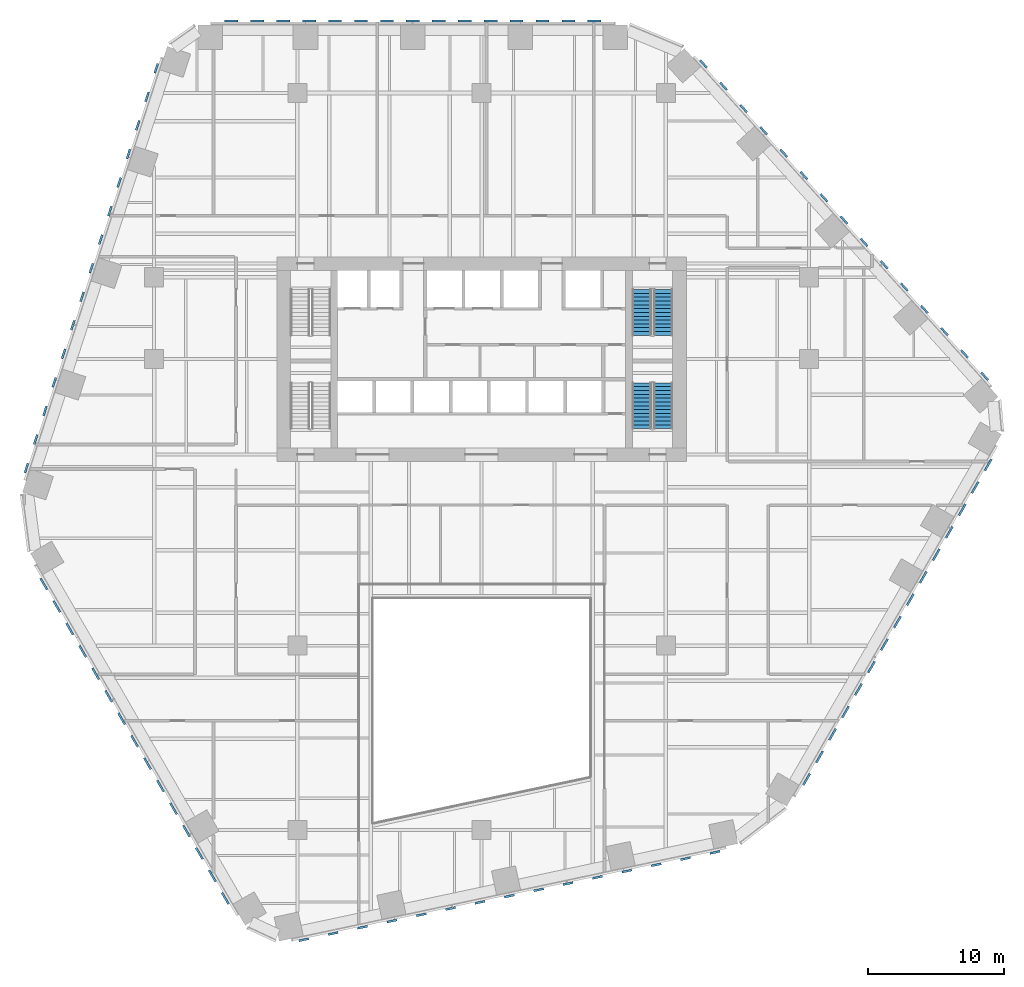
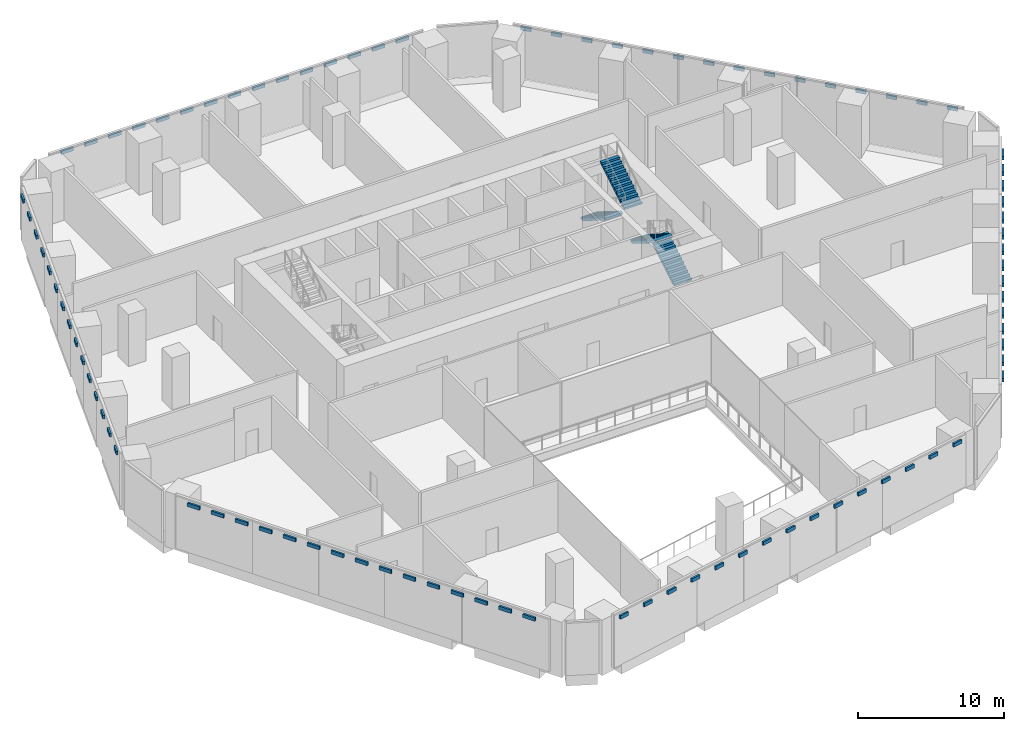
# One storey, part 17 of 19: 90 discrete accessories, 4 stair flights, 2 elements without a shape of their own.
"""IFC4 building model written with IfcOpenShell, lengths in metres."""

from ifc_helpers import new_model, si_unit, direction, frame, origin, origin_2d, place, context, subcontext, project, spatial, polyline, rectangle, outline, extrude, material, type_object, element, aggregate, save


model = new_model("IFC4")

# Units and contexts
model_context = context("Model", 3, precision=1e-05, world=origin(), true_north=direction((0.0, 1.0)))
body_context = subcontext(model_context, "Body", "Model", "MODEL_VIEW")
ifc_project = project(units=[si_unit("LENGTHUNIT", "METRE"), si_unit("AREAUNIT", "SQUARE_METRE"), si_unit("VOLUMEUNIT", "CUBIC_METRE"), si_unit("PLANEANGLEUNIT", "RADIAN"), si_unit("MASSUNIT", "GRAM", prefix="KILO")], contexts=[model_context])

# Site, building, storey
site_placement = place(None, origin())
site = spatial("IfcSite", under=ifc_project, at=site_placement, CompositionType="ELEMENT")
building_placement = place(site_placement, origin())
building = spatial("IfcBuilding", under=site, at=building_placement, Name="Isthmus Gate Tower", CompositionType="ELEMENT")
storey_placement = place(building_placement, frame((0.0, 0.0, 76.14990234375)))
storey = spatial("IfcBuildingStorey", under=building, at=storey_placement, Name="L17", CompositionType="ELEMENT", Elevation=76.14990234375)

# Stair, stair flights
ifc_material_1 = material(Name="Concrete f'c 40 MPa", Category="concrete")
stair_type = type_object("IfcStairType", Name="CORE STAIR 26 RISERS", PredefinedType="HALF_TURN_STAIR", material=ifc_material_1)
stair_1_placement = place(storey_placement, origin())
stair_1 = element("IfcStair", 1, at=stair_1_placement, inside=storey, type_object=stair_type, Name="L17 Exit Stair 2", PredefinedType="HALF_TURN_STAIR")
ifc_material_2 = material(Name="Concrete f'c 40 MPa", Category="concrete")
stair_flight_type = type_object("IfcStairFlightType", Name="STAIR FLIGHT RC 1400", PredefinedType="STRAIGHT", material=ifc_material_2)
stair_flight_1_placement = place(storey_placement, frame((11.75, 12.60009765625, 0.0), z_axis=(0.0, 0.0, 1.0), x_axis=(0.0, -1.0, 0.0)))
stair_flight_1 = element("IfcStairFlight", 2, at=stair_flight_1_placement, type_object=stair_flight_type, Name="ST2 flight 1", NumberOfRisers=13, NumberOfTreads=12, PredefinedType="STRAIGHT", RiserHeight=0.173076923, TreadLength=0.28, context=body_context, shape_type="SweptSolid", body=[
    extrude(outline(polyline([(0.0, 0.0), (0.0, 0.173095703125), (0.280029296875, 0.173095703125), (0.280029296875, 0.34619140625), (0.56005859375, 0.34619140625), (0.56005859375, 0.519287109375), (0.840087890625, 0.519287109375), (0.840087890625, 0.6923828125), (1.1201171875, 0.6923828125), (1.1201171875, 0.865478515625), (1.39990234375, 0.865478515625), (1.39990234375, 1.03857421875), (1.679931640625, 1.03857421875), (1.679931640625, 1.21142578125), (1.9599609375, 1.21142578125), (1.9599609375, 1.384521484375), (2.239990234375, 1.384521484375), (2.239990234375, 1.5576171875), (2.52001953125, 1.5576171875), (2.52001953125, 1.730712890625), (2.800048828125, 1.730712890625), (2.800048828125, 1.90380859375), (3.080078125, 1.90380859375), (3.080078125, 2.076904296875), (3.360107421875, 2.076904296875), (3.360107421875, 2.25), (3.360107421875, 1.900634765625), (0.28515625, 0.0), (0.0, 0.0)])), frame((0.0, 0.699951171875, 0.0), z_axis=(0.0, -1.0, 0.0), x_axis=(1.0, 0.0, 0.0)), (0.0, 0.0, 1.0), 1.39990234375),
])
stair_flight_2_placement = place(storey_placement, frame((13.300048828125, 9.239990234375, 2.25), z_axis=(0.0, 0.0, 1.0), x_axis=(0.0, 1.0, 0.0)))
stair_flight_2 = element("IfcStairFlight", 3, at=stair_flight_2_placement, type_object=stair_flight_type, Name="ST2 flight 2", NumberOfRisers=13, NumberOfTreads=12, PredefinedType="STRAIGHT", RiserHeight=0.173076923, TreadLength=0.28, context=body_context, shape_type="SweptSolid", body=[
    extrude(outline(polyline([(0.0, 0.0), (0.0, 0.173095703125), (0.280029296875, 0.173095703125), (0.280029296875, 0.34619140625), (0.56005859375, 0.34619140625), (0.56005859375, 0.519287109375), (0.840087890625, 0.519287109375), (0.840087890625, 0.6923828125), (1.1201171875, 0.6923828125), (1.1201171875, 0.865478515625), (1.39990234375, 0.865478515625), (1.39990234375, 1.03857421875), (1.679931640625, 1.03857421875), (1.679931640625, 1.21142578125), (1.9599609375, 1.21142578125), (1.9599609375, 1.384521484375), (2.239990234375, 1.384521484375), (2.239990234375, 1.5576171875), (2.52001953125, 1.5576171875), (2.52001953125, 1.730712890625), (2.800048828125, 1.730712890625), (2.800048828125, 1.90380859375), (3.080078125, 1.90380859375), (3.080078125, 2.076904296875), (3.360107421875, 2.076904296875), (3.360107421875, 2.25), (3.360107421875, 1.900634765625), (0.28515625, 0.0), (0.0, 0.0)])), frame((0.0, 0.699951171875, 0.0), z_axis=(0.0, -1.0, 0.0), x_axis=(1.0, 0.0, 0.0)), (0.0, 0.0, 1.0), 1.39990234375),
])
aggregate(stair_1, [stair_flight_1, stair_flight_2])

stair_2_placement = place(storey_placement, origin())
stair_2 = element("IfcStair", 4, at=stair_2_placement, inside=storey, type_object=stair_type, Name="L17 Exit Stair 8", PredefinedType="HALF_TURN_STAIR")
stair_flight_3_placement = place(storey_placement, frame((13.300048828125, 2.39990234375, 0.0), z_axis=(0.0, 0.0, 1.0), x_axis=(0.0, 1.0, 0.0)))
stair_flight_3 = element("IfcStairFlight", 5, at=stair_flight_3_placement, type_object=stair_flight_type, Name="ST8 flight 1", NumberOfRisers=13, NumberOfTreads=12, PredefinedType="STRAIGHT", RiserHeight=0.173076923, TreadLength=0.28, context=body_context, shape_type="SweptSolid", body=[
    extrude(outline(polyline([(0.0, 0.0), (0.0, 0.173095703125), (0.280029296875, 0.173095703125), (0.280029296875, 0.34619140625), (0.56005859375, 0.34619140625), (0.56005859375, 0.519287109375), (0.840087890625, 0.519287109375), (0.840087890625, 0.6923828125), (1.1201171875, 0.6923828125), (1.1201171875, 0.865478515625), (1.39990234375, 0.865478515625), (1.39990234375, 1.03857421875), (1.679931640625, 1.03857421875), (1.679931640625, 1.21142578125), (1.9599609375, 1.21142578125), (1.9599609375, 1.384521484375), (2.239990234375, 1.384521484375), (2.239990234375, 1.5576171875), (2.52001953125, 1.5576171875), (2.52001953125, 1.730712890625), (2.800048828125, 1.730712890625), (2.800048828125, 1.90380859375), (3.080078125, 1.90380859375), (3.080078125, 2.076904296875), (3.360107421875, 2.076904296875), (3.360107421875, 2.25), (3.360107421875, 1.900634765625), (0.28515625, 0.0), (0.0, 0.0)])), frame((0.0, 0.699951171875, 0.0), z_axis=(0.0, -1.0, 0.0), x_axis=(1.0, 0.0, 0.0)), (0.0, 0.0, 1.0), 1.39990234375),
])
stair_flight_4_placement = place(storey_placement, frame((11.75, 5.760009765625, 2.25), z_axis=(0.0, 0.0, 1.0), x_axis=(0.0, -1.0, 0.0)))
stair_flight_4 = element("IfcStairFlight", 6, at=stair_flight_4_placement, type_object=stair_flight_type, Name="ST8 flight 2", NumberOfRisers=13, NumberOfTreads=12, PredefinedType="STRAIGHT", RiserHeight=0.173076923, TreadLength=0.28, context=body_context, shape_type="SweptSolid", body=[
    extrude(outline(polyline([(0.0, 0.0), (0.0, 0.173095703125), (0.280029296875, 0.173095703125), (0.280029296875, 0.34619140625), (0.56005859375, 0.34619140625), (0.56005859375, 0.519287109375), (0.840087890625, 0.519287109375), (0.840087890625, 0.6923828125), (1.1201171875, 0.6923828125), (1.1201171875, 0.865478515625), (1.39990234375, 0.865478515625), (1.39990234375, 1.03857421875), (1.679931640625, 1.03857421875), (1.679931640625, 1.21142578125), (1.9599609375, 1.21142578125), (1.9599609375, 1.384521484375), (2.239990234375, 1.384521484375), (2.239990234375, 1.5576171875), (2.52001953125, 1.5576171875), (2.52001953125, 1.730712890625), (2.800048828125, 1.730712890625), (2.800048828125, 1.90380859375), (3.080078125, 1.90380859375), (3.080078125, 2.076904296875), (3.360107421875, 2.076904296875), (3.360107421875, 2.25), (3.360107421875, 1.900634765625), (0.28515625, 0.0), (0.0, 0.0)])), frame((0.0, 0.699951171875, 0.0), z_axis=(0.0, -1.0, 0.0), x_axis=(1.0, 0.0, 0.0)), (0.0, 0.0, 1.0), 1.39990234375),
])
aggregate(stair_2, [stair_flight_3, stair_flight_4])

# Discrete accessories
ifc_material_3 = material(Name="Structural steel ASTM A572 Gr 50, white paint system", Category="steel")
discrete_accessory_type_1 = type_object("IfcDiscreteAccessoryType", Name="FIN BRACKET 748 X 150 X 300", PredefinedType="BRACKET", material=ifc_material_3)
for number, where, z_axis, x_axis, name in (
    (7, (-23.84033203125, 28.808349609375, 3.9501953125), (0.0, 0.0, 1.0), (-0.951056516295, 0.309016994375, 0.0), "FIN BRACKET"),
    (8, (-24.52001953125, 26.716064453125, 3.9501953125), (0.0, 0.0, 1.0), (-0.951056516295, 0.309016994375, 0.0), "FIN BRACKET"),
    (9, (-25.199951171875, 24.62353515625, 3.9501953125), (0.0, 0.0, 1.0), (-0.951056516295, 0.309016994375, 0.0), "FIN BRACKET"),
    (10, (-25.8798828125, 22.53125, 3.9501953125), (0.0, 0.0, 1.0), (-0.951056516295, 0.309016994375, 0.0), "FIN BRACKET"),
    (11, (-26.5595703125, 20.43896484375, 3.9501953125), (0.0, 0.0, 1.0), (-0.951056516295, 0.309016994375, 0.0), "FIN BRACKET"),
    (12, (-27.239501953125, 18.3466796875, 3.9501953125), (0.0, 0.0, 1.0), (-0.951056516295, 0.309016994375, 0.0), "FIN BRACKET"),
    (13, (-27.91943359375, 16.25439453125, 3.9501953125), (0.0, 0.0, 1.0), (-0.951056516295, 0.309016994375, 0.0), "FIN BRACKET"),
    (14, (-28.59912109375, 14.162109375, 3.9501953125), (0.0, 0.0, 1.0), (-0.951056516295, 0.309016994375, 0.0), "FIN BRACKET"),
    (15, (-29.279052734375, 12.06982421875, 3.9501953125), (0.0, 0.0, 1.0), (-0.951056516295, 0.309016994375, 0.0), "FIN BRACKET"),
    (16, (-29.958740234375, 9.977294921875, 3.9501953125), (0.0, 0.0, 1.0), (-0.951056516295, 0.309016994375, 0.0), "FIN BRACKET"),
    (17, (-30.638671875, 7.885009765625, 3.9501953125), (0.0, 0.0, 1.0), (-0.951056516295, 0.309016994375, 0.0), "FIN BRACKET"),
    (18, (-31.318603515625, 5.792724609375, 3.9501953125), (0.0, 0.0, 1.0), (-0.951056516295, 0.309016994375, 0.0), "FIN BRACKET"),
    (19, (-31.998291015625, 3.700439453125, 3.9501953125), (0.0, 0.0, 1.0), (-0.951056516295, 0.309016994375, 0.0), "FIN BRACKET"),
    (20, (-32.67822265625, 1.608154296875, 3.9501953125), (0.0, 0.0, 1.0), (-0.951056516295, 0.309016994375, 0.0), "FIN BRACKET"),
    (21, (-33.35791015625, -0.484130859375, 3.9501953125), (0.0, 0.0, 1.0), (-0.951056516295, 0.309016994375, 0.0), "FIN BRACKET"),
    (22, (-13.028564453125, -35.050537109375, 3.9501953125), (0.0, 0.0, 1.0), (0.207911690818, -0.978147600734, 0.0), "FIN BRACKET"),
    (23, (-10.876708984375, -34.593017578125, 3.9501953125), (0.0, 0.0, 1.0), (0.207911690818, -0.978147600734, 0.0), "FIN BRACKET"),
    (24, (-8.724609375, -34.1357421875, 3.9501953125), (0.0, 0.0, 1.0), (0.207911690818, -0.978147600734, 0.0), "FIN BRACKET"),
    (25, (-6.57275390625, -33.67822265625, 3.9501953125), (0.0, 0.0, 1.0), (0.207911690818, -0.978147600734, 0.0), "FIN BRACKET"),
    (26, (-4.4208984375, -33.220947265625, 3.9501953125), (0.0, 0.0, 1.0), (0.207911690818, -0.978147600734, 0.0), "FIN BRACKET"),
    (27, (-2.26904296875, -32.763427734375, 3.9501953125), (0.0, 0.0, 1.0), (0.207911690818, -0.978147600734, 0.0), "FIN BRACKET"),
    (28, (-0.116943359375, -32.305908203125, 3.9501953125), (0.0, 0.0, 1.0), (0.207911690818, -0.978147600734, 0.0), "FIN BRACKET"),
    (29, (2.034912109375, -31.8486328125, 3.9501953125), (0.0, 0.0, 1.0), (0.207911690818, -0.978147600734, 0.0), "FIN BRACKET"),
    (30, (4.186767578125, -31.39111328125, 3.9501953125), (0.0, 0.0, 1.0), (0.207911690818, -0.978147600734, 0.0), "FIN BRACKET"),
    (31, (6.3388671875, -30.933837890625, 3.9501953125), (0.0, 0.0, 1.0), (0.207911690818, -0.978147600734, 0.0), "FIN BRACKET"),
    (32, (8.49072265625, -30.476318359375, 3.9501953125), (0.0, 0.0, 1.0), (0.207911690818, -0.978147600734, 0.0), "FIN BRACKET"),
    (33, (10.642578125, -30.01904296875, 3.9501953125), (0.0, 0.0, 1.0), (0.207911690818, -0.978147600734, 0.0), "FIN BRACKET"),
    (34, (12.79443359375, -29.5615234375, 3.9501953125), (0.0, 0.0, 1.0), (0.207911690818, -0.978147600734, 0.0), "FIN BRACKET"),
    (35, (14.946533203125, -29.104248046875, 3.9501953125), (0.0, 0.0, 1.0), (0.207911690818, -0.978147600734, 0.0), "FIN BRACKET"),
    (36, (17.098388671875, -28.646728515625, 3.9501953125), (0.0, 0.0, 1.0), (0.207911690818, -0.978147600734, 0.0), "FIN BRACKET"),
    (37, (36.868896484375, 6.2421875, 3.9501953125), (0.0, 0.0, 1.0), (0.743144825477, 0.669130606359, 0.0), "FIN BRACKET"),
    (38, (35.396728515625, 7.876953125, 3.9501953125), (0.0, 0.0, 1.0), (0.743144825477, 0.669130606359, 0.0), "FIN BRACKET"),
    (39, (33.9248046875, 9.511962890625, 3.9501953125), (0.0, 0.0, 1.0), (0.743144825477, 0.669130606359, 0.0), "FIN BRACKET"),
    (40, (32.45263671875, 11.14697265625, 3.9501953125), (0.0, 0.0, 1.0), (0.743144825477, 0.669130606359, 0.0), "FIN BRACKET"),
    (41, (30.98046875, 12.78173828125, 3.9501953125), (0.0, 0.0, 1.0), (0.743144825477, 0.669130606359, 0.0), "FIN BRACKET"),
    (42, (29.508544921875, 14.416748046875, 3.9501953125), (0.0, 0.0, 1.0), (0.743144825477, 0.669130606359, 0.0), "FIN BRACKET"),
    (43, (28.036376953125, 16.0517578125, 3.9501953125), (0.0, 0.0, 1.0), (0.743144825477, 0.669130606359, 0.0), "FIN BRACKET"),
    (44, (26.564208984375, 17.6865234375, 3.9501953125), (0.0, 0.0, 1.0), (0.743144825477, 0.669130606359, 0.0), "FIN BRACKET"),
    (45, (25.09228515625, 19.321533203125, 3.9501953125), (0.0, 0.0, 1.0), (0.743144825477, 0.669130606359, 0.0), "FIN BRACKET"),
    (46, (23.6201171875, 20.956298828125, 3.9501953125), (0.0, 0.0, 1.0), (0.743144825477, 0.669130606359, 0.0), "FIN BRACKET"),
    (47, (22.14794921875, 22.59130859375, 3.9501953125), (0.0, 0.0, 1.0), (0.743144825477, 0.669130606359, 0.0), "FIN BRACKET"),
    (48, (20.676025390625, 24.226318359375, 3.9501953125), (0.0, 0.0, 1.0), (0.743144825477, 0.669130606359, 0.0), "FIN BRACKET"),
    (49, (19.203857421875, 25.861083984375, 3.9501953125), (0.0, 0.0, 1.0), (0.743144825477, 0.669130606359, 0.0), "FIN BRACKET"),
    (50, (17.731689453125, 27.49609375, 3.9501953125), (0.0, 0.0, 1.0), (0.743144825477, 0.669130606359, 0.0), "FIN BRACKET"),
    (51, (16.259765625, 29.131103515625, 3.9501953125), (0.0, 0.0, 1.0), (0.743144825477, 0.669130606359, 0.0), "FIN BRACKET"),
):
    element("IfcDiscreteAccessory", number, at=place(storey_placement, frame(where, z_axis=z_axis, x_axis=x_axis)), inside=storey, type_object=discrete_accessory_type_1, Name=name, PredefinedType="BRACKET", context=body_context, shape_type="SweptSolid", body=[
        extrude(rectangle(XDim=0.14990234375, YDim=0.748046875, at=origin_2d()), origin(), (0.0, 0.0, 1.0), 0.300048828125),
    ])
ifc_material_4 = material(Name="Structural steel ASTM A572 Gr 50, white paint system", Category="steel")
discrete_accessory_type_2 = type_object("IfcDiscreteAccessoryType", Name="FIN BRACKET 970 X 150 X 300", PredefinedType="BRACKET", material=ifc_material_4)
for number, where, z_axis, x_axis, name in (
    (52, (8.2626953125, 32.27490234375, 3.9501953125), (0.0, 0.0, 1.0), (0.0, 1.0, 0.0), "FIN BRACKET"),
    (53, (6.36279296875, 32.27490234375, 3.9501953125), (0.0, 0.0, 1.0), (0.0, 1.0, 0.0), "FIN BRACKET"),
    (54, (4.462890625, 32.27490234375, 3.9501953125), (0.0, 0.0, 1.0), (0.0, 1.0, 0.0), "FIN BRACKET"),
    (55, (2.562744140625, 32.27490234375, 3.9501953125), (0.0, 0.0, 1.0), (0.0, 1.0, 0.0), "FIN BRACKET"),
    (56, (0.662841796875, 32.27490234375, 3.9501953125), (0.0, 0.0, 1.0), (0.0, 1.0, 0.0), "FIN BRACKET"),
    (57, (-1.2373046875, 32.27490234375, 3.9501953125), (0.0, 0.0, 1.0), (0.0, 1.0, 0.0), "FIN BRACKET"),
    (58, (-3.13720703125, 32.27490234375, 3.9501953125), (0.0, 0.0, 1.0), (0.0, 1.0, 0.0), "FIN BRACKET"),
    (59, (-5.037109375, 32.27490234375, 3.9501953125), (0.0, 0.0, 1.0), (0.0, 1.0, 0.0), "FIN BRACKET"),
    (60, (-6.937255859375, 32.27490234375, 3.9501953125), (0.0, 0.0, 1.0), (0.0, 1.0, 0.0), "FIN BRACKET"),
    (61, (-8.837158203125, 32.27490234375, 3.9501953125), (0.0, 0.0, 1.0), (0.0, 1.0, 0.0), "FIN BRACKET"),
    (62, (-10.7373046875, 32.27490234375, 3.9501953125), (0.0, 0.0, 1.0), (0.0, 1.0, 0.0), "FIN BRACKET"),
    (63, (-12.63720703125, 32.27490234375, 3.9501953125), (0.0, 0.0, 1.0), (0.0, 1.0, 0.0), "FIN BRACKET"),
    (64, (-14.537109375, 32.27490234375, 3.9501953125), (0.0, 0.0, 1.0), (0.0, 1.0, 0.0), "FIN BRACKET"),
    (65, (-16.437255859375, 32.27490234375, 3.9501953125), (0.0, 0.0, 1.0), (0.0, 1.0, 0.0), "FIN BRACKET"),
    (66, (-18.337158203125, 32.27490234375, 3.9501953125), (0.0, 0.0, 1.0), (0.0, 1.0, 0.0), "FIN BRACKET"),
    (67, (-32.082275390625, -8.981689453125, 3.9501953125), (0.0, 0.0, 1.0), (-0.866025403784, -0.5, 0.0), "FIN BRACKET"),
    (68, (-31.13232421875, -10.627197265625, 3.9501953125), (0.0, 0.0, 1.0), (-0.866025403784, -0.5, 0.0), "FIN BRACKET"),
    (69, (-30.182373046875, -12.272705078125, 3.9501953125), (0.0, 0.0, 1.0), (-0.866025403784, -0.5, 0.0), "FIN BRACKET"),
    (70, (-29.232421875, -13.91796875, 3.9501953125), (0.0, 0.0, 1.0), (-0.866025403784, -0.5, 0.0), "FIN BRACKET"),
    (71, (-28.282470703125, -15.5634765625, 3.9501953125), (0.0, 0.0, 1.0), (-0.866025403784, -0.5, 0.0), "FIN BRACKET"),
    (72, (-27.332275390625, -17.208984375, 3.9501953125), (0.0, 0.0, 1.0), (-0.866025403784, -0.5, 0.0), "FIN BRACKET"),
    (73, (-26.38232421875, -18.8544921875, 3.9501953125), (0.0, 0.0, 1.0), (-0.866025403784, -0.5, 0.0), "FIN BRACKET"),
    (74, (-25.432373046875, -20.499755859375, 3.9501953125), (0.0, 0.0, 1.0), (-0.866025403784, -0.5, 0.0), "FIN BRACKET"),
    (75, (-24.482421875, -22.145263671875, 3.9501953125), (0.0, 0.0, 1.0), (-0.866025403784, -0.5, 0.0), "FIN BRACKET"),
    (76, (-23.532470703125, -23.790771484375, 3.9501953125), (0.0, 0.0, 1.0), (-0.866025403784, -0.5, 0.0), "FIN BRACKET"),
    (77, (-22.582275390625, -25.436279296875, 3.9501953125), (0.0, 0.0, 1.0), (-0.866025403784, -0.5, 0.0), "FIN BRACKET"),
    (78, (-21.63232421875, -27.08154296875, 3.9501953125), (0.0, 0.0, 1.0), (-0.866025403784, -0.5, 0.0), "FIN BRACKET"),
    (79, (-20.682373046875, -28.72705078125, 3.9501953125), (0.0, 0.0, 1.0), (-0.866025403784, -0.5, 0.0), "FIN BRACKET"),
    (80, (-19.732421875, -30.37255859375, 3.9501953125), (0.0, 0.0, 1.0), (-0.866025403784, -0.5, 0.0), "FIN BRACKET"),
    (81, (-18.782470703125, -32.01806640625, 3.9501953125), (0.0, 0.0, 1.0), (-0.866025403784, -0.5, 0.0), "FIN BRACKET"),
    (82, (23.819580078125, -23.293212890625, 3.9501953125), (0.0, 0.0, 1.0), (0.866025403784, -0.5, 0.0), "FIN BRACKET"),
    (83, (24.76953125, -21.64794921875, 3.9501953125), (0.0, 0.0, 1.0), (0.866025403784, -0.5, 0.0), "FIN BRACKET"),
    (84, (25.719482421875, -20.00244140625, 3.9501953125), (0.0, 0.0, 1.0), (0.866025403784, -0.5, 0.0), "FIN BRACKET"),
    (85, (26.669677734375, -18.35693359375, 3.9501953125), (0.0, 0.0, 1.0), (0.866025403784, -0.5, 0.0), "FIN BRACKET"),
    (86, (27.61962890625, -16.71142578125, 3.9501953125), (0.0, 0.0, 1.0), (0.866025403784, -0.5, 0.0), "FIN BRACKET"),
    (87, (28.569580078125, -15.066162109375, 3.9501953125), (0.0, 0.0, 1.0), (0.866025403784, -0.5, 0.0), "FIN BRACKET"),
    (88, (29.51953125, -13.420654296875, 3.9501953125), (0.0, 0.0, 1.0), (0.866025403784, -0.5, 0.0), "FIN BRACKET"),
    (89, (30.469482421875, -11.775146484375, 3.9501953125), (0.0, 0.0, 1.0), (0.866025403784, -0.5, 0.0), "FIN BRACKET"),
    (90, (31.419677734375, -10.129638671875, 3.9501953125), (0.0, 0.0, 1.0), (0.866025403784, -0.5, 0.0), "FIN BRACKET"),
    (91, (32.36962890625, -8.484375, 3.9501953125), (0.0, 0.0, 1.0), (0.866025403784, -0.5, 0.0), "FIN BRACKET"),
    (92, (33.319580078125, -6.8388671875, 3.9501953125), (0.0, 0.0, 1.0), (0.866025403784, -0.5, 0.0), "FIN BRACKET"),
    (93, (34.26953125, -5.193359375, 3.9501953125), (0.0, 0.0, 1.0), (0.866025403784, -0.5, 0.0), "FIN BRACKET"),
    (94, (35.219482421875, -3.5478515625, 3.9501953125), (0.0, 0.0, 1.0), (0.866025403784, -0.5, 0.0), "FIN BRACKET"),
    (95, (36.169677734375, -1.902587890625, 3.9501953125), (0.0, 0.0, 1.0), (0.866025403784, -0.5, 0.0), "FIN BRACKET"),
    (96, (37.11962890625, -0.257080078125, 3.9501953125), (0.0, 0.0, 1.0), (0.866025403784, -0.5, 0.0), "FIN BRACKET"),
):
    element("IfcDiscreteAccessory", number, at=place(storey_placement, frame(where, z_axis=z_axis, x_axis=x_axis)), inside=storey, type_object=discrete_accessory_type_2, Name=name, PredefinedType="BRACKET", context=body_context, shape_type="SweptSolid", body=[
        extrude(rectangle(XDim=0.14990234375, YDim=0.969970703125, at=origin_2d()), origin(), (0.0, 0.0, 1.0), 0.300048828125),
    ])

save(model, "model.ifc")
